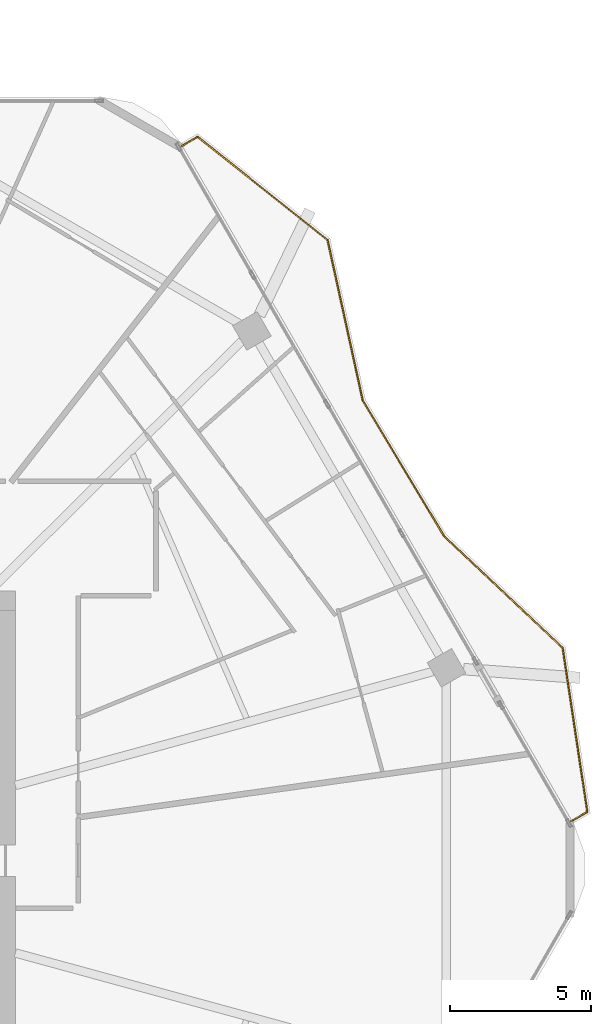
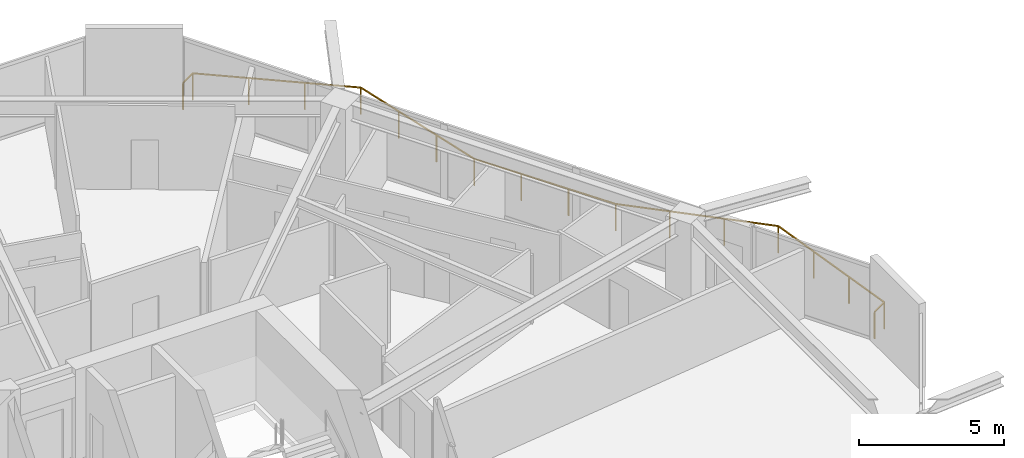
# One storey, part 26 of 26: 1 railing.
"""IFC4 building model written with IfcOpenShell, lengths in metres."""

from ifc_helpers import new_model, si_unit, direction, frame, origin, origin_2d, place, context, subcontext, project, spatial, rectangle, extrude, material, type_object, element, save


model = new_model("IFC4")

# Units and contexts
model_context = context("Model", 3, precision=1e-05, world=origin(), true_north=direction((0.0, 1.0)))
body_context = subcontext(model_context, "Body", "Model", "MODEL_VIEW")
ifc_project = project(units=[si_unit("LENGTHUNIT", "METRE"), si_unit("AREAUNIT", "SQUARE_METRE"), si_unit("VOLUMEUNIT", "CUBIC_METRE"), si_unit("PLANEANGLEUNIT", "RADIAN"), si_unit("MASSUNIT", "GRAM", prefix="KILO")], contexts=[model_context])

# Site, building, storey
site_placement = place(None, origin())
site = spatial("IfcSite", under=ifc_project, at=site_placement, CompositionType="ELEMENT")
building_placement = place(site_placement, origin())
building = spatial("IfcBuilding", under=site, at=building_placement, Name="Zuhravey Tower", CompositionType="ELEMENT")
storey_placement = place(building_placement, frame((0.0, 0.0, 158.0)))
storey = spatial("IfcBuildingStorey", under=building, at=storey_placement, Name="L39", CompositionType="ELEMENT", Elevation=158.0)

# Railing
ifc_material = material(Name="Stainless steel 316 and laminated glass", Category="steel")
railing_type = type_object("IfcRailingType", Name="Balcony & Terrace Guardrail 1150", PredefinedType="BALUSTRADE", material=ifc_material)
railing_placement = place(storey_placement, frame((52.719970703125, 57.576416015625, 0.0)))
element("IfcRailing", 1, at=railing_placement, inside=storey, type_object=railing_type, Name="L39 Face 1 Wave Balcony Guardrail GR1", PredefinedType="BALUSTRADE", context=body_context, shape_type="SweptSolid", body=[
    extrude(rectangle(XDim=0.048095703125, YDim=0.048095703125, at=origin_2d()), frame((0.001708984375, 0.0009765625, 1.1259765625), z_axis=(0.865840589429, 0.500319971315, 0.0), x_axis=(-0.500319971315, 0.865840589429, 0.0)), (0.0, 0.0, 1.0), 0.66796875),
    extrude(rectangle(XDim=0.048095703125, YDim=0.048095703125, at=origin_2d()), frame((0.583251953125, 0.3349609375, 1.1259765625), z_axis=(0.783260937182, -0.621693094931, 0.0), x_axis=(0.621693094931, 0.783260937182, 0.0)), (0.0, 0.0, 1.0), 5.866455078125),
    extrude(rectangle(XDim=0.048095703125, YDim=0.048095703125, at=origin_2d()), frame((5.180419921875, -3.3154296875, 1.1259765625), z_axis=(0.214376007752, -0.976751210545, 0.0), x_axis=(0.976751210545, 0.214376007752, 0.0)), (0.0, 0.0, 1.0), 5.806396484375),
    extrude(rectangle(XDim=0.048095703125, YDim=0.048095703125, at=origin_2d()), frame((6.426513671875, -8.990478515625, 1.1259765625), z_axis=(0.514000830147, -0.857789686699, 0.0), x_axis=(0.857789686699, 0.514000830147, 0.0)), (0.0, 0.0, 1.0), 5.582763671875),
    extrude(rectangle(XDim=0.048095703125, YDim=0.048095703125, at=origin_2d()), frame((9.298583984375, -13.782470703125, 1.1259765625), z_axis=(0.727137343028, -0.686492013336, 0.0), x_axis=(0.686492013336, 0.727137343028, 0.0)), (0.0, 0.0, 1.0), 5.7744140625),
    extrude(rectangle(XDim=0.048095703125, YDim=0.048095703125, at=origin_2d()), frame((13.4990234375, -17.749755859375, 1.1259765625), z_axis=(0.148822745922, -0.98886388866, 0.0), x_axis=(0.98886388866, 0.148822745922, 0.0)), (0.0, 0.0, 1.0), 5.8623046875),
    extrude(rectangle(XDim=0.048095703125, YDim=0.048095703125, at=origin_2d()), frame((14.3701171875, -23.5498046875, 1.1259765625), z_axis=(-0.865997973348, -0.5000475079, 0.0), x_axis=(0.5000475079, -0.865997973348, 0.0)), (0.0, 0.0, 1.0), 0.667724609375),
    extrude(rectangle(XDim=0.0419921875, YDim=0.0419921875, at=origin_2d()), origin(), (0.0, 0.0, 1.0), 1.099853515625),
    extrude(rectangle(XDim=0.0419921875, YDim=0.0419921875, at=origin_2d()), frame((0.581787109375, 0.336181640625, 0.0)), (0.0, 0.0, 1.0), 1.099853515625),
    extrude(rectangle(XDim=0.0419921875, YDim=0.0419921875, at=origin_2d()), frame((2.114501953125, -0.88037109375, 0.0)), (0.0, 0.0, 1.0), 1.099853515625),
    extrude(rectangle(XDim=0.0419921875, YDim=0.0419921875, at=origin_2d()), frame((3.647216796875, -2.096923828125, 0.0)), (0.0, 0.0, 1.0), 1.099853515625),
    extrude(rectangle(XDim=0.0419921875, YDim=0.0419921875, at=origin_2d()), frame((5.179931640625, -3.3134765625, 0.0)), (0.0, 0.0, 1.0), 1.099853515625),
    extrude(rectangle(XDim=0.0419921875, YDim=0.0419921875, at=origin_2d()), frame((5.59521484375, -5.205322265625, 0.0)), (0.0, 0.0, 1.0), 1.099853515625),
    extrude(rectangle(XDim=0.0419921875, YDim=0.0419921875, at=origin_2d()), frame((6.01025390625, -7.096923828125, 0.0)), (0.0, 0.0, 1.0), 1.099853515625),
    extrude(rectangle(XDim=0.0419921875, YDim=0.0419921875, at=origin_2d()), frame((6.425537109375, -8.98876953125, 0.0)), (0.0, 0.0, 1.0), 1.099853515625),
    extrude(rectangle(XDim=0.0419921875, YDim=0.0419921875, at=origin_2d()), frame((7.3828125, -10.586181640625, 0.0)), (0.0, 0.0, 1.0), 1.099853515625),
    extrude(rectangle(XDim=0.0419921875, YDim=0.0419921875, at=origin_2d()), frame((8.33984375, -12.18359375, 0.0)), (0.0, 0.0, 1.0), 1.099853515625),
    extrude(rectangle(XDim=0.0419921875, YDim=0.0419921875, at=origin_2d()), frame((9.297119140625, -13.781005859375, 0.0)), (0.0, 0.0, 1.0), 1.099853515625),
    extrude(rectangle(XDim=0.0419921875, YDim=0.0419921875, at=origin_2d()), frame((10.69775390625, -15.103271484375, 0.0)), (0.0, 0.0, 1.0), 1.099853515625),
    extrude(rectangle(XDim=0.0419921875, YDim=0.0419921875, at=origin_2d()), frame((12.09814453125, -16.425537109375, 0.0)), (0.0, 0.0, 1.0), 1.099853515625),
    extrude(rectangle(XDim=0.0419921875, YDim=0.0419921875, at=origin_2d()), frame((13.498779296875, -17.747802734375, 0.0)), (0.0, 0.0, 1.0), 1.099853515625),
    extrude(rectangle(XDim=0.0419921875, YDim=0.0419921875, at=origin_2d()), frame((13.789794921875, -19.681396484375, 0.0)), (0.0, 0.0, 1.0), 1.099853515625),
    extrude(rectangle(XDim=0.0419921875, YDim=0.0419921875, at=origin_2d()), frame((14.080810546875, -21.615234375, 0.0)), (0.0, 0.0, 1.0), 1.099853515625),
    extrude(rectangle(XDim=0.0419921875, YDim=0.0419921875, at=origin_2d()), frame((14.371826171875, -23.548828125, 0.0)), (0.0, 0.0, 1.0), 1.099853515625),
    extrude(rectangle(XDim=0.0419921875, YDim=0.0419921875, at=origin_2d()), frame((13.7900390625, -23.884765625, 0.0)), (0.0, 0.0, 1.0), 1.099853515625),
])

save(model, "model.ifc")
